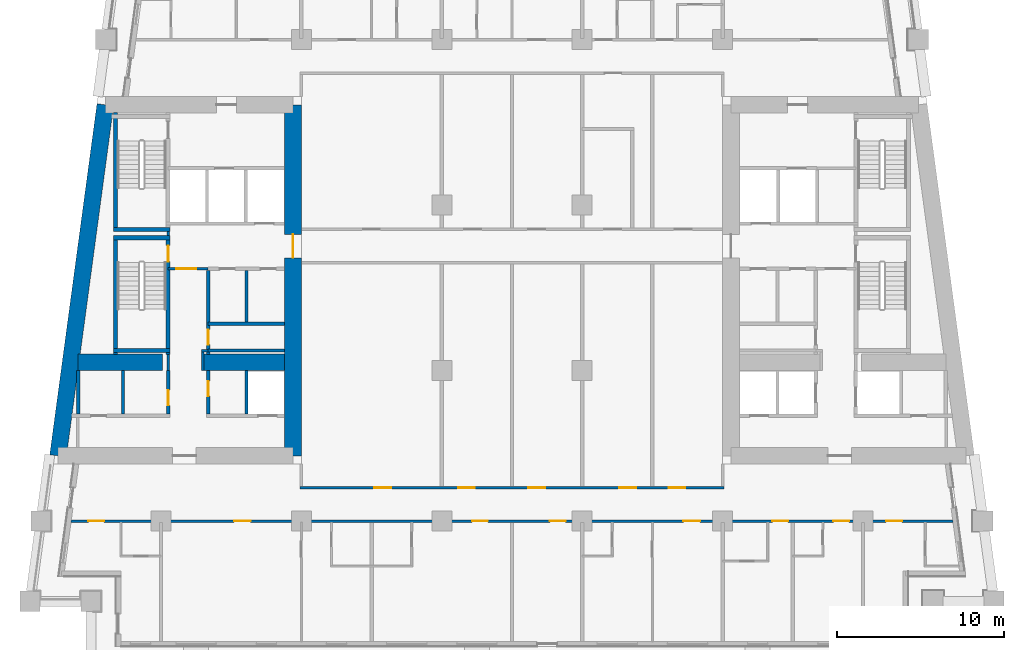
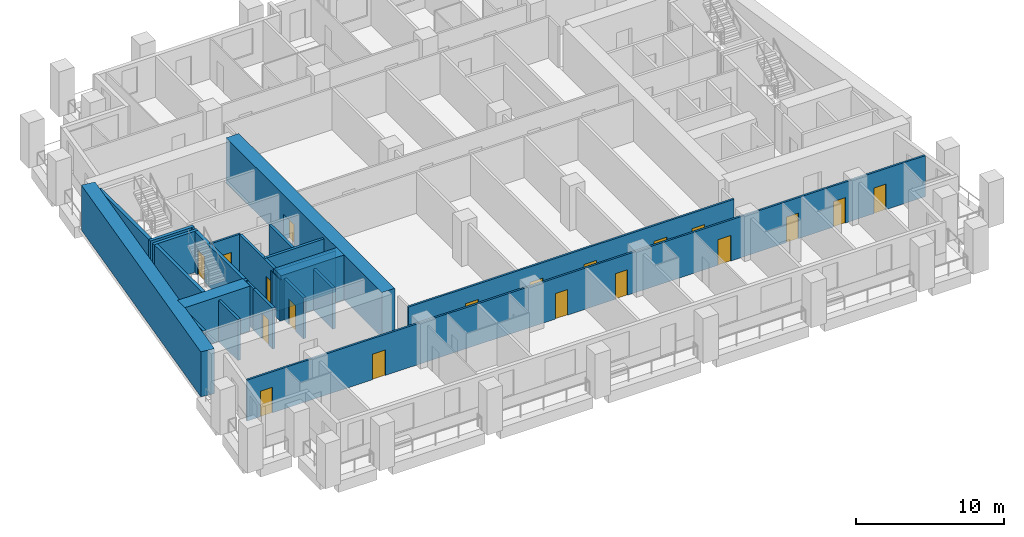
# One storey, part 3 of 13: 26 walls, 19 doors, 19 openings.
"""IFC4 building model written with IfcOpenShell, lengths in metres."""

from ifc_helpers import new_model, si_unit, direction, frame, frame_2d, origin, place, context, subcontext, project, spatial, rectangle, extrude, material, layer, layer_set, type_object, element, fill, save


model = new_model("IFC4")

# Units and contexts
model_context = context("Model", 3, precision=1e-05, world=origin(), true_north=direction((0.0, 1.0)))
body_context = subcontext(model_context, "Body", "Model", "MODEL_VIEW")
ifc_project = project(units=[si_unit("LENGTHUNIT", "METRE"), si_unit("AREAUNIT", "SQUARE_METRE"), si_unit("VOLUMEUNIT", "CUBIC_METRE"), si_unit("PLANEANGLEUNIT", "RADIAN"), si_unit("MASSUNIT", "GRAM", prefix="KILO")], contexts=[model_context])

# Site, building, storey
site_placement = place(None, origin())
site = spatial("IfcSite", under=ifc_project, at=site_placement, CompositionType="ELEMENT")
building_placement = place(site_placement, origin())
building = spatial("IfcBuilding", under=site, at=building_placement, Name="Candeia Pilgrim Tower and Theatre", CompositionType="ELEMENT")
storey_placement = place(building_placement, frame((0.0, 0.0, 113.199951171875)))
storey = spatial("IfcBuildingStorey", under=building, at=storey_placement, Name="L26", CompositionType="ELEMENT", Elevation=113.199951171875)

# Wall, opening, door
ifc_material_1 = material(Name="Concrete C70/85", Category="concrete")
ifc_layer_1 = layer(ifc_material_1, 1.0)
ifc_layer_set_1 = layer_set([ifc_layer_1], Name="Core wall 1000 C70/85")
wall_type_1 = type_object("IfcWallType", Name="Core wall 1000 C70/85", PredefinedType="SHEAR", material=ifc_layer_set_1)
wall_1_placement = place(storey_placement, frame((100.300048828125, 131.89990234375, 0.0), z_axis=(0.0, 0.0, 1.0), x_axis=(0.0, -1.0, 0.0)))
wall_1 = element("IfcWall", 1, at=wall_1_placement, inside=storey, type_object=wall_type_1, Name="Core wall W2", PredefinedType="SHEAR", context=body_context, shape_type="SweptSolid", body=[
    extrude(rectangle(XDim=21.0, YDim=1.0, at=frame_2d((10.5, 0.0))), origin(), (0.0, 0.0, 1.0), 3.699951171875),
])
opening_1_placement = place(wall_1_placement, frame((7.75, 0.0, 0.0)))
opening_1 = element("IfcOpeningElement", 2, at=opening_1_placement, cuts=wall_1, Name="Opening L26-D061", PredefinedType="OPENING", context=body_context, shape_type="SweptSolid", body=[
    extrude(rectangle(XDim=1.39990234375, YDim=2.10009765625, at=frame_2d((0.699951171875, 1.050048828125))), frame((0.0, 0.510009765625, 0.0), z_axis=(0.0, -1.0, 0.0), x_axis=(1.0, 0.0, 0.0)), (0.0, 0.0, 1.0), 1.02001953125),
])
ifc_material_2 = material(Name="Steel fire door set", Category="steel")
door_type_1 = type_object("IfcDoorType", Name="D-1400-FD60", OperationType="NOTDEFINED", PredefinedType="DOOR", material=ifc_material_2)
door_1_placement = place(opening_1_placement, origin())
door_1 = element("IfcDoor", 3, at=door_1_placement, inside=storey, type_object=door_type_1, Name="Door L26-D061", OperationType="SINGLE_SWING_LEFT", OverallHeight=2.10009765625, OverallWidth=1.39990234375, PredefinedType="DOOR", context=body_context, shape_type="SweptSolid", body=[
    extrude(rectangle(XDim=1.39990234375, YDim=2.10009765625, at=frame_2d((0.699951171875, 1.050048828125))), frame((0.0, 0.02490234375, 0.0), z_axis=(0.0, -1.0, 0.0), x_axis=(1.0, 0.0, 0.0)), (0.0, 0.0, 1.0), 0.050048828125),
])
fill(opening_1, door_1)

# Walls
wall_2_placement = place(storey_placement, frame((86.240966796875, 110.89990234375, 0.0), z_axis=(0.0, 0.0, 1.0), x_axis=(0.133411141623, 0.991060778808, 0.0)))
element("IfcWall", 4, at=wall_2_placement, inside=storey, type_object=wall_type_1, Name="Core wall W4", PredefinedType="SHEAR", context=body_context, shape_type="SweptSolid", body=[
    extrude(rectangle(XDim=21.189453125, YDim=1.0, at=frame_2d((10.5947265625, 0.0))), origin(), (0.0, 0.0, 1.0), 3.699951171875),
])
wall_3_placement = place(storey_placement, frame((87.423095703125, 116.5, 0.0), z_axis=(0.0, 0.0, 1.0), x_axis=(1.0, 0.0, 0.0)))
element("IfcWall", 5, at=wall_3_placement, inside=storey, type_object=wall_type_1, Name="Core wall W5", PredefinedType="SHEAR", context=body_context, shape_type="SweptSolid", body=[
    extrude(rectangle(XDim=5.076904296875, YDim=1.0, at=frame_2d((2.53857421875, 0.0))), origin(), (0.0, 0.0, 1.0), 3.699951171875),
])
wall_4_placement = place(storey_placement, frame((94.89990234375, 116.5, 0.0), z_axis=(0.0, 0.0, 1.0), x_axis=(1.0, 0.0, 0.0)))
element("IfcWall", 6, at=wall_4_placement, inside=storey, type_object=wall_type_1, Name="Core wall W6", PredefinedType="SHEAR", context=body_context, shape_type="SweptSolid", body=[
    extrude(rectangle(XDim=4.900146484375, YDim=1.0, at=frame_2d((2.4501953125, 0.0))), origin(), (0.0, 0.0, 1.0), 3.699951171875),
])
ifc_material_3 = material(Name="Gypsum board partition on steel studs", Category="steel")
ifc_layer_2 = layer(ifc_material_3, 0.14990234375)
ifc_layer_set_2 = layer_set([ifc_layer_2], Name="PW-150 lobby wall")
wall_type_2 = type_object("IfcWallType", Name="PW-150 lobby wall", PredefinedType="PARTITIONING", material=ifc_layer_set_2)
wall_5_placement = place(storey_placement, frame((94.824951171875, 117.199951171875, 0.0), z_axis=(0.0, 0.0, 1.0), x_axis=(1.0, 0.0, 0.0)))
element("IfcWall", 7, at=wall_5_placement, inside=storey, type_object=wall_type_2, Name="Lobby wall L26-015", PredefinedType="PARTITIONING", context=body_context, shape_type="SweptSolid", body=[
    extrude(rectangle(XDim=0.402099609375, YDim=0.14990234375, at=frame_2d((0.201171875, 0.0))), origin(), (0.0, 0.0, 1.0), 3.380126953125),
])

# Wall, opening, door
wall_6_placement = place(storey_placement, frame((92.826904296875, 122.10009765625, 0.0), z_axis=(0.0, 0.0, 1.0), x_axis=(1.0, 0.0, 0.0)))
wall_6 = element("IfcWall", 8, at=wall_6_placement, inside=storey, type_object=wall_type_2, Name="Lobby wall L26-023", PredefinedType="PARTITIONING", context=body_context, shape_type="SweptSolid", body=[
    extrude(rectangle(XDim=2.400146484375, YDim=0.14990234375, at=frame_2d((1.2001953125, 0.0))), origin(), (0.0, 0.0, 1.0), 3.380126953125),
])
opening_2_placement = place(wall_6_placement, frame((0.47509765625, 0.0, 0.0)))
opening_2 = element("IfcOpeningElement", 9, at=opening_2_placement, cuts=wall_6, Name="Opening L26-D001", PredefinedType="OPENING", context=body_context, shape_type="SweptSolid", body=[
    extrude(rectangle(XDim=1.199951171875, YDim=2.10009765625, at=frame_2d((0.60009765625, 1.050048828125))), frame((0.0, 0.0849609375, 0.0), z_axis=(0.0, -1.0, 0.0), x_axis=(1.0, 0.0, 0.0)), (0.0, 0.0, 1.0), 0.169921875),
])
door_type_2 = type_object("IfcDoorType", Name="D-1200-FD60", OperationType="NOTDEFINED", PredefinedType="DOOR", material=ifc_material_2)
door_2_placement = place(opening_2_placement, origin())
door_2 = element("IfcDoor", 10, at=door_2_placement, inside=storey, type_object=door_type_2, Name="Door L26-D001", OperationType="SINGLE_SWING_LEFT", OverallHeight=2.10009765625, OverallWidth=1.199951171875, PredefinedType="DOOR", context=body_context, shape_type="SweptSolid", body=[
    extrude(rectangle(XDim=1.199951171875, YDim=2.10009765625, at=frame_2d((0.60009765625, 1.050048828125))), frame((0.0, 0.02490234375, 0.0), z_axis=(0.0, -1.0, 0.0), x_axis=(1.0, 0.0, 0.0)), (0.0, 0.0, 1.0), 0.050048828125),
])
fill(opening_2, door_2)

# Walls
wall_7_placement = place(storey_placement, frame((92.826904296875, 116.0, 0.0), z_axis=(0.0, 0.0, 1.0), x_axis=(0.0, 1.0, 0.0)))
element("IfcWall", 11, at=wall_7_placement, inside=storey, type_object=wall_type_2, Name="Lobby wall L26-054", PredefinedType="PARTITIONING", context=body_context, shape_type="SweptSolid", body=[
    extrude(rectangle(XDim=0.969970703125, YDim=0.14990234375, at=frame_2d((0.48486328125, 0.0))), origin(), (0.0, 0.0, 1.0), 3.380126953125),
])
wall_8_placement = place(storey_placement, frame((92.826904296875, 124.074951171875, 0.0), z_axis=(0.0, 0.0, 1.0), x_axis=(0.0, 1.0, 0.0)))
element("IfcWall", 12, at=wall_8_placement, inside=storey, type_object=wall_type_2, Name="Lobby wall L26-055", PredefinedType="PARTITIONING", context=body_context, shape_type="SweptSolid", body=[
    extrude(rectangle(XDim=0.25, YDim=0.14990234375, at=frame_2d((0.125, 0.0))), origin(), (0.0, 0.0, 1.0), 3.380126953125),
])
wall_9_placement = place(storey_placement, frame((94.89990234375, 116.0, 0.0), z_axis=(0.0, 0.0, 1.0), x_axis=(0.0, 1.0, 0.0)))
element("IfcWall", 13, at=wall_9_placement, inside=storey, type_object=wall_type_2, Name="Lobby wall L26-059", PredefinedType="PARTITIONING", context=body_context, shape_type="SweptSolid", body=[
    extrude(rectangle(XDim=1.125, YDim=0.14990234375, at=frame_2d((0.5625, 0.0))), origin(), (0.0, 0.0, 1.0), 3.380126953125),
])

# Wall, openings, doors
ifc_layer_3 = layer(ifc_material_3, 0.14990234375)
ifc_layer_set_3 = layer_set([ifc_layer_3], Name="PW-150 unit wall")
wall_type_3 = type_object("IfcWallType", Name="PW-150 unit wall", PredefinedType="PARTITIONING", material=ifc_layer_set_3)
wall_10_placement = place(storey_placement, frame((87.017578125, 107.0, 0.0), z_axis=(0.0, 0.0, 1.0), x_axis=(1.0, 0.0, 0.0)))
wall_10 = element("IfcWall", 14, at=wall_10_placement, inside=storey, type_object=wall_type_3, Name="Unit wall L26-007", PredefinedType="PARTITIONING", context=body_context, shape_type="SweptSolid", body=[
    extrude(rectangle(XDim=52.7646484375, YDim=0.14990234375, at=frame_2d((26.38232421875, 0.0))), origin(), (0.0, 0.0, 1.0), 3.380126953125),
])
opening_3_placement = place(wall_10_placement, frame((1.0322265625, 0.0, 0.0)))
opening_3 = element("IfcOpeningElement", 15, at=opening_3_placement, cuts=wall_10, Name="Opening L26-D017", PredefinedType="OPENING", context=body_context, shape_type="SweptSolid", body=[
    extrude(rectangle(XDim=0.949951171875, YDim=2.10009765625, at=frame_2d((0.47509765625, 1.050048828125))), frame((0.0, 0.0849609375, 0.0), z_axis=(0.0, -1.0, 0.0), x_axis=(1.0, 0.0, 0.0)), (0.0, 0.0, 1.0), 0.169921875),
])
opening_4_placement = place(wall_10_placement, frame((9.752197265625, 0.0, 0.0)))
opening_4 = element("IfcOpeningElement", 16, at=opening_4_placement, cuts=wall_10, Name="Opening L26-D019", PredefinedType="OPENING", context=body_context, shape_type="SweptSolid", body=[
    extrude(rectangle(XDim=1.0, YDim=2.10009765625, at=frame_2d((0.5, 1.050048828125))), frame((0.0, 0.0849609375, 0.0), z_axis=(0.0, -1.0, 0.0), x_axis=(1.0, 0.0, 0.0)), (0.0, 0.0, 1.0), 0.169921875),
])
opening_5_placement = place(wall_10_placement, frame((23.995361328125, 0.0, 0.0)))
opening_5 = element("IfcOpeningElement", 17, at=opening_5_placement, cuts=wall_10, Name="Opening L26-D022", PredefinedType="OPENING", context=body_context, shape_type="SweptSolid", body=[
    extrude(rectangle(XDim=0.949951171875, YDim=2.10009765625, at=frame_2d((0.47509765625, 1.050048828125))), frame((0.0, 0.0849609375, 0.0), z_axis=(0.0, -1.0, 0.0), x_axis=(1.0, 0.0, 0.0)), (0.0, 0.0, 1.0), 0.169921875),
])
opening_6_placement = place(wall_10_placement, frame((28.645263671875, 0.0, 0.0)))
opening_6 = element("IfcOpeningElement", 18, at=opening_6_placement, cuts=wall_10, Name="Opening L26-D024", PredefinedType="OPENING", context=body_context, shape_type="SweptSolid", body=[
    extrude(rectangle(XDim=0.949951171875, YDim=2.10009765625, at=frame_2d((0.47509765625, 1.050048828125))), frame((0.0, 0.0849609375, 0.0), z_axis=(0.0, -1.0, 0.0), x_axis=(1.0, 0.0, 0.0)), (0.0, 0.0, 1.0), 0.169921875),
])
opening_7_placement = place(wall_10_placement, frame((36.63232421875, 0.0, 0.0)))
opening_7 = element("IfcOpeningElement", 19, at=opening_7_placement, cuts=wall_10, Name="Opening L26-D025", PredefinedType="OPENING", context=body_context, shape_type="SweptSolid", body=[
    extrude(rectangle(XDim=1.0, YDim=2.10009765625, at=frame_2d((0.5, 1.050048828125))), frame((0.0, 0.0849609375, 0.0), z_axis=(0.0, -1.0, 0.0), x_axis=(1.0, 0.0, 0.0)), (0.0, 0.0, 1.0), 0.169921875),
])
opening_8_placement = place(wall_10_placement, frame((41.957275390625, 0.0, 0.0)))
opening_8 = element("IfcOpeningElement", 20, at=opening_8_placement, cuts=wall_10, Name="Opening L26-D028", PredefinedType="OPENING", context=body_context, shape_type="SweptSolid", body=[
    extrude(rectangle(XDim=0.949951171875, YDim=2.10009765625, at=frame_2d((0.47509765625, 1.050048828125))), frame((0.0, 0.0849609375, 0.0), z_axis=(0.0, -1.0, 0.0), x_axis=(1.0, 0.0, 0.0)), (0.0, 0.0, 1.0), 0.169921875),
])
opening_9_placement = place(wall_10_placement, frame((45.607421875, 0.0, 0.0)))
opening_9 = element("IfcOpeningElement", 21, at=opening_9_placement, cuts=wall_10, Name="Opening L26-D030", PredefinedType="OPENING", context=body_context, shape_type="SweptSolid", body=[
    extrude(rectangle(XDim=0.949951171875, YDim=2.10009765625, at=frame_2d((0.47509765625, 1.050048828125))), frame((0.0, 0.0849609375, 0.0), z_axis=(0.0, -1.0, 0.0), x_axis=(1.0, 0.0, 0.0)), (0.0, 0.0, 1.0), 0.169921875),
])
opening_10_placement = place(wall_10_placement, frame((48.767333984375, 0.0, 0.0)))
opening_10 = element("IfcOpeningElement", 22, at=opening_10_placement, cuts=wall_10, Name="Opening L26-D032", PredefinedType="OPENING", context=body_context, shape_type="SweptSolid", body=[
    extrude(rectangle(XDim=0.949951171875, YDim=2.10009765625, at=frame_2d((0.47509765625, 1.050048828125))), frame((0.0, 0.0849609375, 0.0), z_axis=(0.0, -1.0, 0.0), x_axis=(1.0, 0.0, 0.0)), (0.0, 0.0, 1.0), 0.169921875),
])
door_type_3 = type_object("IfcDoorType", Name="D-1000-FD30S", OperationType="NOTDEFINED", PredefinedType="DOOR", material=ifc_material_2)
door_3_placement = place(opening_4_placement, origin())
door_3 = element("IfcDoor", 23, at=door_3_placement, inside=storey, type_object=door_type_3, Name="Door L26-D019", OperationType="SINGLE_SWING_LEFT", OverallHeight=2.10009765625, OverallWidth=1.0, PredefinedType="DOOR", context=body_context, shape_type="SweptSolid", body=[
    extrude(rectangle(XDim=1.0, YDim=2.10009765625, at=frame_2d((0.5, 1.050048828125))), frame((0.0, 0.02490234375, 0.0), z_axis=(0.0, -1.0, 0.0), x_axis=(1.0, 0.0, 0.0)), (0.0, 0.0, 1.0), 0.050048828125),
])
fill(opening_4, door_3)
door_4_placement = place(opening_7_placement, origin())
door_4 = element("IfcDoor", 24, at=door_4_placement, inside=storey, type_object=door_type_3, Name="Door L26-D025", OperationType="SINGLE_SWING_LEFT", OverallHeight=2.10009765625, OverallWidth=1.0, PredefinedType="DOOR", context=body_context, shape_type="SweptSolid", body=[
    extrude(rectangle(XDim=1.0, YDim=2.10009765625, at=frame_2d((0.5, 1.050048828125))), frame((0.0, 0.02490234375, 0.0), z_axis=(0.0, -1.0, 0.0), x_axis=(1.0, 0.0, 0.0)), (0.0, 0.0, 1.0), 0.050048828125),
])
fill(opening_7, door_4)
door_type_4 = type_object("IfcDoorType", Name="D-950-FD30S", OperationType="NOTDEFINED", PredefinedType="DOOR", material=ifc_material_2)
door_5_placement = place(opening_3_placement, origin())
door_5 = element("IfcDoor", 25, at=door_5_placement, inside=storey, type_object=door_type_4, Name="Door L26-D017", OperationType="SINGLE_SWING_LEFT", OverallHeight=2.10009765625, OverallWidth=0.949951171875, PredefinedType="DOOR", context=body_context, shape_type="SweptSolid", body=[
    extrude(rectangle(XDim=0.949951171875, YDim=2.10009765625, at=frame_2d((0.47509765625, 1.050048828125))), frame((0.0, 0.02490234375, 0.0), z_axis=(0.0, -1.0, 0.0), x_axis=(1.0, 0.0, 0.0)), (0.0, 0.0, 1.0), 0.050048828125),
])
fill(opening_3, door_5)
door_6_placement = place(opening_5_placement, origin())
door_6 = element("IfcDoor", 26, at=door_6_placement, inside=storey, type_object=door_type_4, Name="Door L26-D022", OperationType="SINGLE_SWING_RIGHT", OverallHeight=2.10009765625, OverallWidth=0.949951171875, PredefinedType="DOOR", context=body_context, shape_type="SweptSolid", body=[
    extrude(rectangle(XDim=0.949951171875, YDim=2.10009765625, at=frame_2d((0.47509765625, 1.050048828125))), frame((0.0, 0.02490234375, 0.0), z_axis=(0.0, -1.0, 0.0), x_axis=(1.0, 0.0, 0.0)), (0.0, 0.0, 1.0), 0.050048828125),
])
fill(opening_5, door_6)
door_7_placement = place(opening_6_placement, origin())
door_7 = element("IfcDoor", 27, at=door_7_placement, inside=storey, type_object=door_type_4, Name="Door L26-D024", OperationType="SINGLE_SWING_RIGHT", OverallHeight=2.10009765625, OverallWidth=0.949951171875, PredefinedType="DOOR", context=body_context, shape_type="SweptSolid", body=[
    extrude(rectangle(XDim=0.949951171875, YDim=2.10009765625, at=frame_2d((0.47509765625, 1.050048828125))), frame((0.0, 0.02490234375, 0.0), z_axis=(0.0, -1.0, 0.0), x_axis=(1.0, 0.0, 0.0)), (0.0, 0.0, 1.0), 0.050048828125),
])
fill(opening_6, door_7)
door_8_placement = place(opening_8_placement, origin())
door_8 = element("IfcDoor", 28, at=door_8_placement, inside=storey, type_object=door_type_4, Name="Door L26-D028", OperationType="SINGLE_SWING_RIGHT", OverallHeight=2.10009765625, OverallWidth=0.949951171875, PredefinedType="DOOR", context=body_context, shape_type="SweptSolid", body=[
    extrude(rectangle(XDim=0.949951171875, YDim=2.10009765625, at=frame_2d((0.47509765625, 1.050048828125))), frame((0.0, 0.02490234375, 0.0), z_axis=(0.0, -1.0, 0.0), x_axis=(1.0, 0.0, 0.0)), (0.0, 0.0, 1.0), 0.050048828125),
])
fill(opening_8, door_8)
door_9_placement = place(opening_9_placement, origin())
door_9 = element("IfcDoor", 29, at=door_9_placement, inside=storey, type_object=door_type_4, Name="Door L26-D030", OperationType="SINGLE_SWING_RIGHT", OverallHeight=2.10009765625, OverallWidth=0.949951171875, PredefinedType="DOOR", context=body_context, shape_type="SweptSolid", body=[
    extrude(rectangle(XDim=0.949951171875, YDim=2.10009765625, at=frame_2d((0.47509765625, 1.050048828125))), frame((0.0, 0.02490234375, 0.0), z_axis=(0.0, -1.0, 0.0), x_axis=(1.0, 0.0, 0.0)), (0.0, 0.0, 1.0), 0.050048828125),
])
fill(opening_9, door_9)
door_10_placement = place(opening_10_placement, origin())
door_10 = element("IfcDoor", 30, at=door_10_placement, inside=storey, type_object=door_type_4, Name="Door L26-D032", OperationType="SINGLE_SWING_RIGHT", OverallHeight=2.10009765625, OverallWidth=0.949951171875, PredefinedType="DOOR", context=body_context, shape_type="SweptSolid", body=[
    extrude(rectangle(XDim=0.949951171875, YDim=2.10009765625, at=frame_2d((0.47509765625, 1.050048828125))), frame((0.0, 0.02490234375, 0.0), z_axis=(0.0, -1.0, 0.0), x_axis=(1.0, 0.0, 0.0)), (0.0, 0.0, 1.0), 0.050048828125),
])
fill(opening_10, door_10)

wall_11_placement = place(storey_placement, frame((100.72509765625, 109.0, 0.0), z_axis=(0.0, 0.0, 1.0), x_axis=(1.0, 0.0, 0.0)))
wall_11 = element("IfcWall", 31, at=wall_11_placement, inside=storey, type_object=wall_type_3, Name="Unit wall L26-008", PredefinedType="PARTITIONING", context=body_context, shape_type="SweptSolid", body=[
    extrude(rectangle(XDim=25.349853515625, YDim=0.14990234375, at=frame_2d((12.6748046875, 0.0))), origin(), (0.0, 0.0, 1.0), 3.380126953125),
])
opening_11_placement = place(wall_11_placement, frame((4.445068359375, 0.0, 0.0)))
opening_11 = element("IfcOpeningElement", 32, at=opening_11_placement, cuts=wall_11, Name="Opening L26-D049", PredefinedType="OPENING", context=body_context, shape_type="SweptSolid", body=[
    extrude(rectangle(XDim=1.0, YDim=2.10009765625, at=frame_2d((0.5, 1.050048828125))), frame((0.0, 0.0849609375, 0.0), z_axis=(0.0, -1.0, 0.0), x_axis=(1.0, 0.0, 0.0)), (0.0, 0.0, 1.0), 0.169921875),
])
opening_12_placement = place(wall_11_placement, frame((9.449951171875, 0.0, 0.0)))
opening_12 = element("IfcOpeningElement", 33, at=opening_12_placement, cuts=wall_11, Name="Opening L26-D050", PredefinedType="OPENING", context=body_context, shape_type="SweptSolid", body=[
    extrude(rectangle(XDim=1.0, YDim=2.10009765625, at=frame_2d((0.5, 1.050048828125))), frame((0.0, 0.0849609375, 0.0), z_axis=(0.0, -1.0, 0.0), x_axis=(1.0, 0.0, 0.0)), (0.0, 0.0, 1.0), 0.169921875),
])
opening_13_placement = place(wall_11_placement, frame((13.64990234375, 0.0, 0.0)))
opening_13 = element("IfcOpeningElement", 34, at=opening_13_placement, cuts=wall_11, Name="Opening L26-D051", PredefinedType="OPENING", context=body_context, shape_type="SweptSolid", body=[
    extrude(rectangle(XDim=1.0, YDim=2.10009765625, at=frame_2d((0.5, 1.050048828125))), frame((0.0, 0.0849609375, 0.0), z_axis=(0.0, -1.0, 0.0), x_axis=(1.0, 0.0, 0.0)), (0.0, 0.0, 1.0), 0.169921875),
])
opening_14_placement = place(wall_11_placement, frame((19.10009765625, 0.0, 0.0)))
opening_14 = element("IfcOpeningElement", 35, at=opening_14_placement, cuts=wall_11, Name="Opening L26-D052", PredefinedType="OPENING", context=body_context, shape_type="SweptSolid", body=[
    extrude(rectangle(XDim=1.0, YDim=2.10009765625, at=frame_2d((0.5, 1.050048828125))), frame((0.0, 0.0849609375, 0.0), z_axis=(0.0, -1.0, 0.0), x_axis=(1.0, 0.0, 0.0)), (0.0, 0.0, 1.0), 0.169921875),
])
opening_15_placement = place(wall_11_placement, frame((22.050048828125, 0.0, 0.0)))
opening_15 = element("IfcOpeningElement", 36, at=opening_15_placement, cuts=wall_11, Name="Opening L26-D053", PredefinedType="OPENING", context=body_context, shape_type="SweptSolid", body=[
    extrude(rectangle(XDim=1.0, YDim=2.10009765625, at=frame_2d((0.5, 1.050048828125))), frame((0.0, 0.0849609375, 0.0), z_axis=(0.0, -1.0, 0.0), x_axis=(1.0, 0.0, 0.0)), (0.0, 0.0, 1.0), 0.169921875),
])
door_11_placement = place(opening_11_placement, origin())
door_11 = element("IfcDoor", 37, at=door_11_placement, inside=storey, type_object=door_type_3, Name="Door L26-D049", OperationType="SINGLE_SWING_LEFT", OverallHeight=2.10009765625, OverallWidth=1.0, PredefinedType="DOOR", context=body_context, shape_type="SweptSolid", body=[
    extrude(rectangle(XDim=1.0, YDim=2.10009765625, at=frame_2d((0.5, 1.050048828125))), frame((0.0, 0.02490234375, 0.0), z_axis=(0.0, -1.0, 0.0), x_axis=(1.0, 0.0, 0.0)), (0.0, 0.0, 1.0), 0.050048828125),
])
fill(opening_11, door_11)
door_12_placement = place(opening_12_placement, origin())
door_12 = element("IfcDoor", 38, at=door_12_placement, inside=storey, type_object=door_type_3, Name="Door L26-D050", OperationType="SINGLE_SWING_RIGHT", OverallHeight=2.10009765625, OverallWidth=1.0, PredefinedType="DOOR", context=body_context, shape_type="SweptSolid", body=[
    extrude(rectangle(XDim=1.0, YDim=2.10009765625, at=frame_2d((0.5, 1.050048828125))), frame((0.0, 0.02490234375, 0.0), z_axis=(0.0, -1.0, 0.0), x_axis=(1.0, 0.0, 0.0)), (0.0, 0.0, 1.0), 0.050048828125),
])
fill(opening_12, door_12)
door_13_placement = place(opening_13_placement, origin())
door_13 = element("IfcDoor", 39, at=door_13_placement, inside=storey, type_object=door_type_3, Name="Door L26-D051", OperationType="SINGLE_SWING_LEFT", OverallHeight=2.10009765625, OverallWidth=1.0, PredefinedType="DOOR", context=body_context, shape_type="SweptSolid", body=[
    extrude(rectangle(XDim=1.0, YDim=2.10009765625, at=frame_2d((0.5, 1.050048828125))), frame((0.0, 0.02490234375, 0.0), z_axis=(0.0, -1.0, 0.0), x_axis=(1.0, 0.0, 0.0)), (0.0, 0.0, 1.0), 0.050048828125),
])
fill(opening_13, door_13)
door_14_placement = place(opening_14_placement, origin())
door_14 = element("IfcDoor", 40, at=door_14_placement, inside=storey, type_object=door_type_3, Name="Door L26-D052", OperationType="SINGLE_SWING_RIGHT", OverallHeight=2.10009765625, OverallWidth=1.0, PredefinedType="DOOR", context=body_context, shape_type="SweptSolid", body=[
    extrude(rectangle(XDim=1.0, YDim=2.10009765625, at=frame_2d((0.5, 1.050048828125))), frame((0.0, 0.02490234375, 0.0), z_axis=(0.0, -1.0, 0.0), x_axis=(1.0, 0.0, 0.0)), (0.0, 0.0, 1.0), 0.050048828125),
])
fill(opening_14, door_14)
door_15_placement = place(opening_15_placement, origin())
door_15 = element("IfcDoor", 41, at=door_15_placement, inside=storey, type_object=door_type_3, Name="Door L26-D053", OperationType="SINGLE_SWING_LEFT", OverallHeight=2.10009765625, OverallWidth=1.0, PredefinedType="DOOR", context=body_context, shape_type="SweptSolid", body=[
    extrude(rectangle(XDim=1.0, YDim=2.10009765625, at=frame_2d((0.5, 1.050048828125))), frame((0.0, 0.02490234375, 0.0), z_axis=(0.0, -1.0, 0.0), x_axis=(1.0, 0.0, 0.0)), (0.0, 0.0, 1.0), 0.050048828125),
])
fill(opening_15, door_15)

# Walls
ifc_material_4 = material(Name="Concrete C40/50", Category="concrete")
ifc_layer_4 = layer(ifc_material_4, 0.199951171875)
ifc_layer_set_4 = layer_set([ifc_layer_4], Name="SW-200 shaft wall")
wall_type_4 = type_object("IfcWallType", Name="SW-200 shaft wall", PredefinedType="PARTITIONING", material=ifc_layer_set_4)
for number, where, z_axis, x_axis, name in (
    (42, (95.22705078125, 117.199951171875, 0.0), (0.0, 0.0, 1.0), (1.0, 0.0, 0.0), "Shaft wall L26-013"),
    (43, (95.22705078125, 118.800048828125, 0.0), (0.0, 0.0, 1.0), (1.0, 0.0, 0.0), "Shaft wall L26-019"),
):
    element("IfcWall", number, at=place(storey_placement, frame(where, z_axis=z_axis, x_axis=x_axis)), inside=storey, type_object=wall_type_4, Name=name, PredefinedType="PARTITIONING", context=body_context, shape_type="SweptSolid", body=[
        extrude(rectangle(XDim=4.572998046875, YDim=0.199951171875, at=frame_2d((2.28662109375, 0.0))), origin(), (0.0, 0.0, 1.0), 3.380126953125),
    ])
for number, where, z_axis, x_axis, name in (
    (44, (87.451171875, 113.39990234375, 0.0), (0.0, 0.0, 1.0), (0.0, 1.0, 0.0), "Shaft wall L26-046"),
    (45, (90.1279296875, 113.39990234375, 0.0), (0.0, 0.0, 1.0), (0.0, 1.0, 0.0), "Shaft wall L26-051"),
):
    element("IfcWall", number, at=place(storey_placement, frame(where, z_axis=z_axis, x_axis=x_axis)), inside=storey, type_object=wall_type_4, Name=name, PredefinedType="PARTITIONING", context=body_context, shape_type="SweptSolid", body=[
        extrude(rectangle(XDim=2.60009765625, YDim=0.199951171875, at=frame_2d((1.300048828125, 0.0))), origin(), (0.0, 0.0, 1.0), 3.380126953125),
    ])

# Wall, opening, door
wall_12_placement = place(storey_placement, frame((92.826904296875, 113.39990234375, 0.0), z_axis=(0.0, 0.0, 1.0), x_axis=(0.0, 1.0, 0.0)))
wall_12 = element("IfcWall", 46, at=wall_12_placement, inside=storey, type_object=wall_type_4, Name="Shaft wall L26-053", PredefinedType="PARTITIONING", context=body_context, shape_type="SweptSolid", body=[
    extrude(rectangle(XDim=2.60009765625, YDim=0.199951171875, at=frame_2d((1.300048828125, 0.0))), origin(), (0.0, 0.0, 1.0), 3.380126953125),
])
opening_16_placement = place(wall_12_placement, frame((0.52490234375, 0.0, 0.0)))
opening_16 = element("IfcOpeningElement", 47, at=opening_16_placement, cuts=wall_12, Name="Opening L26-D008", PredefinedType="OPENING", context=body_context, shape_type="SweptSolid", body=[
    extrude(rectangle(XDim=0.89990234375, YDim=2.10009765625, at=frame_2d((0.449951171875, 1.050048828125))), frame((0.0, 0.10986328125, 0.0), z_axis=(0.0, -1.0, 0.0), x_axis=(1.0, 0.0, 0.0)), (0.0, 0.0, 1.0), 0.219970703125),
])
door_type_5 = type_object("IfcDoorType", Name="D-900-FD60", OperationType="NOTDEFINED", PredefinedType="DOOR", material=ifc_material_2)
door_16_placement = place(opening_16_placement, origin())
door_16 = element("IfcDoor", 48, at=door_16_placement, inside=storey, type_object=door_type_5, Name="Door L26-D008", OperationType="SINGLE_SWING_LEFT", OverallHeight=2.10009765625, OverallWidth=0.89990234375, PredefinedType="DOOR", context=body_context, shape_type="SweptSolid", body=[
    extrude(rectangle(XDim=0.89990234375, YDim=2.10009765625, at=frame_2d((0.449951171875, 1.050048828125))), frame((0.0, 0.02490234375, 0.0), z_axis=(0.0, -1.0, 0.0), x_axis=(1.0, 0.0, 0.0)), (0.0, 0.0, 1.0), 0.050048828125),
])
fill(opening_16, door_16)

wall_13_placement = place(storey_placement, frame((95.22705078125, 113.39990234375, 0.0), z_axis=(0.0, 0.0, 1.0), x_axis=(0.0, 1.0, 0.0)))
wall_13 = element("IfcWall", 49, at=wall_13_placement, inside=storey, type_object=wall_type_4, Name="Shaft wall L26-061", PredefinedType="PARTITIONING", context=body_context, shape_type="SweptSolid", body=[
    extrude(rectangle(XDim=2.60009765625, YDim=0.199951171875, at=frame_2d((1.300048828125, 0.0))), origin(), (0.0, 0.0, 1.0), 3.380126953125),
])
opening_17_placement = place(wall_13_placement, frame((1.074951171875, 0.0, 0.0)))
opening_17 = element("IfcOpeningElement", 50, at=opening_17_placement, cuts=wall_13, Name="Opening L26-D009", PredefinedType="OPENING", context=body_context, shape_type="SweptSolid", body=[
    extrude(rectangle(XDim=0.89990234375, YDim=2.10009765625, at=frame_2d((0.449951171875, 1.050048828125))), frame((0.0, 0.10986328125, 0.0), z_axis=(0.0, -1.0, 0.0), x_axis=(1.0, 0.0, 0.0)), (0.0, 0.0, 1.0), 0.219970703125),
])
door_17_placement = place(opening_17_placement, origin())
door_17 = element("IfcDoor", 51, at=door_17_placement, inside=storey, type_object=door_type_5, Name="Door L26-D009", OperationType="SINGLE_SWING_RIGHT", OverallHeight=2.10009765625, OverallWidth=0.89990234375, PredefinedType="DOOR", context=body_context, shape_type="SweptSolid", body=[
    extrude(rectangle(XDim=0.89990234375, YDim=2.10009765625, at=frame_2d((0.449951171875, 1.050048828125))), frame((0.0, 0.02490234375, 0.0), z_axis=(0.0, -1.0, 0.0), x_axis=(1.0, 0.0, 0.0)), (0.0, 0.0, 1.0), 0.050048828125),
])
fill(opening_17, door_17)

wall_14_placement = place(storey_placement, frame((95.22705078125, 116.969970703125, 0.0), z_axis=(0.0, 0.0, 1.0), x_axis=(0.0, 1.0, 0.0)))
wall_14 = element("IfcWall", 52, at=wall_14_placement, inside=storey, type_object=wall_type_4, Name="Shaft wall L26-062", PredefinedType="PARTITIONING", context=body_context, shape_type="SweptSolid", body=[
    extrude(rectangle(XDim=5.030029296875, YDim=0.199951171875, at=frame_2d((2.51513671875, 0.0))), origin(), (0.0, 0.0, 1.0), 3.380126953125),
])
opening_18_placement = place(wall_14_placement, frame((0.580078125, 0.0, 0.0)))
opening_18 = element("IfcOpeningElement", 53, at=opening_18_placement, cuts=wall_14, Name="Opening L26-D006", PredefinedType="OPENING", context=body_context, shape_type="SweptSolid", body=[
    extrude(rectangle(XDim=0.89990234375, YDim=2.10009765625, at=frame_2d((0.449951171875, 1.050048828125))), frame((0.0, 0.10986328125, 0.0), z_axis=(0.0, -1.0, 0.0), x_axis=(1.0, 0.0, 0.0)), (0.0, 0.0, 1.0), 0.219970703125),
])
door_18_placement = place(opening_18_placement, origin())
door_18 = element("IfcDoor", 54, at=door_18_placement, inside=storey, type_object=door_type_5, Name="Door L26-D006", OperationType="SINGLE_SWING_RIGHT", OverallHeight=2.10009765625, OverallWidth=0.89990234375, PredefinedType="DOOR", context=body_context, shape_type="SweptSolid", body=[
    extrude(rectangle(XDim=0.89990234375, YDim=2.10009765625, at=frame_2d((0.449951171875, 1.050048828125))), frame((0.0, 0.02490234375, 0.0), z_axis=(0.0, -1.0, 0.0), x_axis=(1.0, 0.0, 0.0)), (0.0, 0.0, 1.0), 0.050048828125),
])
fill(opening_18, door_18)

# Walls
wall_15_placement = place(storey_placement, frame((97.513427734375, 113.39990234375, 0.0), z_axis=(0.0, 0.0, 1.0), x_axis=(0.0, 1.0, 0.0)))
element("IfcWall", 55, at=wall_15_placement, inside=storey, type_object=wall_type_4, Name="Shaft wall L26-065", PredefinedType="PARTITIONING", context=body_context, shape_type="SweptSolid", body=[
    extrude(rectangle(XDim=2.60009765625, YDim=0.199951171875, at=frame_2d((1.300048828125, 0.0))), origin(), (0.0, 0.0, 1.0), 3.380126953125),
])
wall_16_placement = place(storey_placement, frame((97.513427734375, 118.89990234375, 0.0), z_axis=(0.0, 0.0, 1.0), x_axis=(0.0, 1.0, 0.0)))
element("IfcWall", 56, at=wall_16_placement, inside=storey, type_object=wall_type_4, Name="Shaft wall L26-066", PredefinedType="PARTITIONING", context=body_context, shape_type="SweptSolid", body=[
    extrude(rectangle(XDim=3.10009765625, YDim=0.199951171875, at=frame_2d((1.550048828125, 0.0))), origin(), (0.0, 0.0, 1.0), 3.380126953125),
])
ifc_layer_5 = layer(ifc_material_4, 0.25)
ifc_layer_set_5 = layer_set([ifc_layer_5], Name="SW-250 stair wall")
wall_type_5 = type_object("IfcWallType", Name="SW-250 stair wall", PredefinedType="PARTITIONING", material=ifc_layer_set_5)
for number, where, z_axis, x_axis, name in (
    (57, (89.552001953125, 117.199951171875, 0.0), (0.0, 0.0, 1.0), (1.0, 0.0, 0.0), "Stair wall L26-017"),
    (58, (89.552001953125, 123.949951171875, 0.0), (0.0, 0.0, 1.0), (1.0, 0.0, 0.0), "Stair wall L26-026"),
    (59, (89.552001953125, 124.449951171875, 0.0), (0.0, 0.0, 1.0), (1.0, 0.0, 0.0), "Stair wall L26-028"),
):
    element("IfcWall", number, at=place(storey_placement, frame(where, z_axis=z_axis, x_axis=x_axis)), inside=storey, type_object=wall_type_5, Name=name, PredefinedType="PARTITIONING", context=body_context, shape_type="SweptSolid", body=[
        extrude(rectangle(XDim=3.39990234375, YDim=0.25, at=frame_2d((1.699951171875, 0.0))), origin(), (0.0, 0.0, 1.0), 3.380126953125),
    ])
for number, where, z_axis, x_axis, name in (
    (60, (89.677001953125, 116.969970703125, 0.0), (0.0, 0.0, 1.0), (0.0, 1.0, 0.0), "Stair wall L26-048"),
    (61, (89.677001953125, 124.574951171875, 0.0), (0.0, 0.0, 1.0), (0.0, 1.0, 0.0), "Stair wall L26-049"),
):
    element("IfcWall", number, at=place(storey_placement, frame(where, z_axis=z_axis, x_axis=x_axis)), inside=storey, type_object=wall_type_5, Name=name, PredefinedType="PARTITIONING", context=body_context, shape_type="SweptSolid", body=[
        extrude(rectangle(XDim=6.85498046875, YDim=0.25, at=frame_2d((3.427490234375, 0.0))), origin(), (0.0, 0.0, 1.0), 3.380126953125),
    ])

# Wall, opening, door
wall_17_placement = place(storey_placement, frame((92.826904296875, 116.969970703125, 0.0), z_axis=(0.0, 0.0, 1.0), x_axis=(0.0, 1.0, 0.0)))
wall_17 = element("IfcWall", 62, at=wall_17_placement, inside=storey, type_object=wall_type_5, Name="Stair wall L26-056", PredefinedType="PARTITIONING", context=body_context, shape_type="SweptSolid", body=[
    extrude(rectangle(XDim=6.85498046875, YDim=0.25, at=frame_2d((3.427490234375, 0.0))), origin(), (0.0, 0.0, 1.0), 3.380126953125),
])
opening_19_placement = place(wall_17_placement, frame((5.554931640625, 0.0, 0.0)))
opening_19 = element("IfcOpeningElement", 63, at=opening_19_placement, cuts=wall_17, Name="Opening L26-D004", PredefinedType="OPENING", context=body_context, shape_type="SweptSolid", body=[
    extrude(rectangle(XDim=0.949951171875, YDim=2.10009765625, at=frame_2d((0.47509765625, 1.050048828125))), frame((0.0, 0.135009765625, 0.0), z_axis=(0.0, -1.0, 0.0), x_axis=(1.0, 0.0, 0.0)), (0.0, 0.0, 1.0), 0.27001953125),
])
door_type_6 = type_object("IfcDoorType", Name="D-950-FD60", OperationType="NOTDEFINED", PredefinedType="DOOR", material=ifc_material_2)
door_19_placement = place(opening_19_placement, origin())
door_19 = element("IfcDoor", 64, at=door_19_placement, inside=storey, type_object=door_type_6, Name="Door L26-D004", OperationType="SINGLE_SWING_RIGHT", OverallHeight=2.10009765625, OverallWidth=0.949951171875, PredefinedType="DOOR", context=body_context, shape_type="SweptSolid", body=[
    extrude(rectangle(XDim=0.949951171875, YDim=2.10009765625, at=frame_2d((0.47509765625, 1.050048828125))), frame((0.0, 0.02490234375, 0.0), z_axis=(0.0, -1.0, 0.0), x_axis=(1.0, 0.0, 0.0)), (0.0, 0.0, 1.0), 0.050048828125),
])
fill(opening_19, door_19)

save(model, "model.ifc")
